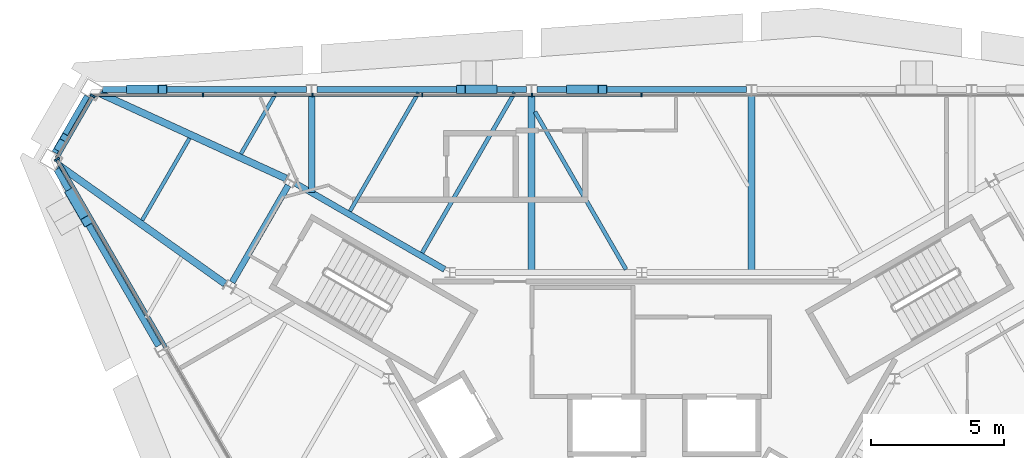
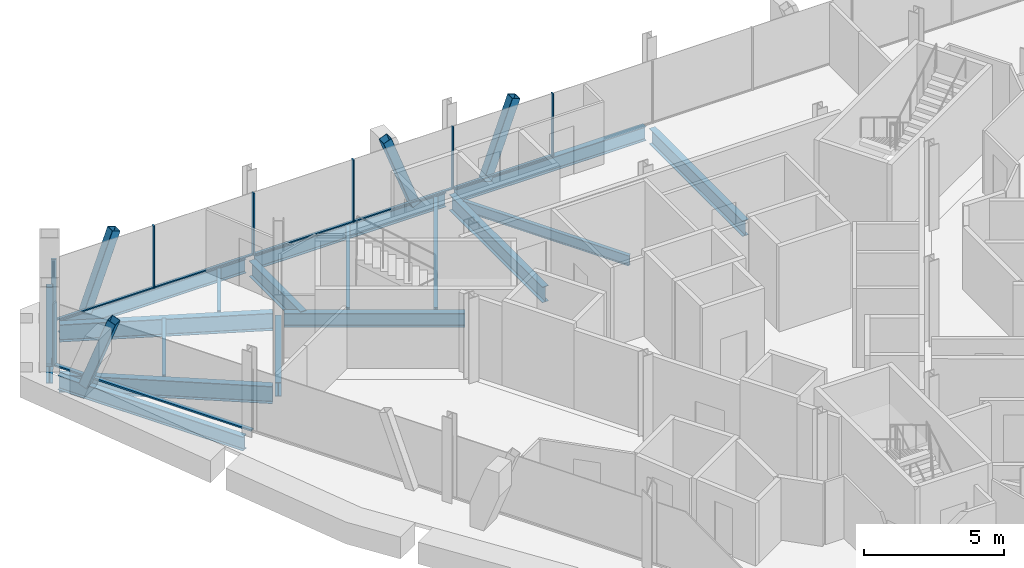
# One storey, part 5 of 11: 19 members, 17 beams, 3 elements without a shape of their own.
"""IFC4 building model written with IfcOpenShell, lengths in metres."""

import ifcopenshell
import ifcopenshell.guid

model = None  # the IFC model being written
_history = None  # IfcOwnerHistory: only IFC2X3 demands one
_inside = {}  # id of a spatial element -> (the spatial element, [elements in it])
_under = {}  # id of a project, library or spatial element -> (it, [spatial elements below it])
_declared = {}  # id of a project -> (the project, [libraries it declares])
_typed = {}  # id of a type object -> (the type object, [elements of that type])
_made_of = {}  # id of a material, layer set ... -> (it, [elements and type objects made of it])


def new_model(schema):
    """Start an empty IFC model of exactly this schema.

    Asked for "IFC4X3", IfcOpenShell would pick the latest addendum, in which some entities
    have other attributes; the version numbers below select the first issue.
    IFC2X3 requires an IfcOwnerHistory on every rooted entity: one is made here for all.
    """
    global model, _history
    if schema == "IFC4X3":
        model = ifcopenshell.file(schema_version=(4, 3, 0, 0))
    else:
        model = ifcopenshell.file(schema=schema)
    _inside.clear()
    _under.clear()
    _declared.clear()
    _typed.clear()
    _made_of.clear()
    _history = None
    if model.schema == "IFC2X3":
        org = make("IfcOrganization", Name="unknown")
        user = make(
            "IfcPersonAndOrganization",
            ThePerson=make("IfcPerson", FamilyName="unknown"),
            TheOrganization=org,
        )
        app = make(
            "IfcApplication",
            ApplicationDeveloper=org,
            Version="unknown",
            ApplicationFullName="unknown",
            ApplicationIdentifier="unknown",
        )
        _history = make(
            "IfcOwnerHistory",
            OwningUser=user,
            OwningApplication=app,
            ChangeAction="ADDED",
            CreationDate=0,
        )
    return model


def make(cls, **values):
    """One entity of the class cls with the attributes given. An attribute that is None is left unset."""
    return model.create_entity(
        cls, **{name: value for name, value in values.items() if value is not None}
    )


def rooted(cls, **values):
    """An entity with a GlobalId (a new one), such as an element, a storey or a relation."""
    return make(cls, GlobalId=ifcopenshell.guid.new(), OwnerHistory=_history, **values)


def si_unit(unit_type, name, prefix=None):
    """IfcSIUnit, for example si_unit("LENGTHUNIT", "METRE", prefix="MILLI")."""
    return make("IfcSIUnit", UnitType=unit_type, Prefix=prefix, Name=name)


def assignment(units):
    """IfcUnitAssignment: the units of a project."""
    return None if units is None else make("IfcUnitAssignment", Units=units)


def point(xyz):
    """IfcCartesianPoint."""
    return None if xyz is None else make("IfcCartesianPoint", Coordinates=xyz)


def direction(xyz):
    """IfcDirection."""
    return None if xyz is None else make("IfcDirection", DirectionRatios=xyz)


def frame(location, z_axis=None, x_axis=None):
    """IfcAxis2Placement3D, a coordinate frame: its origin and axes. An axis left out is left unset."""
    return make(
        "IfcAxis2Placement3D",
        Location=point(location),
        Axis=direction(z_axis),
        RefDirection=direction(x_axis),
    )


def frame_2d(location, x_axis=None):
    """IfcAxis2Placement2D, a coordinate frame in the plane: its origin and x axis."""
    return make(
        "IfcAxis2Placement2D", Location=point(location), RefDirection=direction(x_axis)
    )


def origin():
    """The frame at (0, 0, 0) with its axes left unset."""
    return frame((0.0, 0.0, 0.0))


def origin_2d():
    """The frame at (0, 0) in the plane with its x axis left unset."""
    return frame_2d((0.0, 0.0))


def place(relative_to, where):
    """IfcLocalPlacement: puts the frame where relative to a parent placement (None: the world)."""
    return make(
        "IfcLocalPlacement", PlacementRelTo=relative_to, RelativePlacement=where
    )


def context(
    kind, dimensions, precision=None, world=None, true_north=None, identifier=None
):
    """IfcGeometricRepresentationContext, for example the 3D "Model" context."""
    return make(
        "IfcGeometricRepresentationContext",
        ContextIdentifier=identifier,
        ContextType=kind,
        CoordinateSpaceDimension=dimensions,
        Precision=precision,
        WorldCoordinateSystem=world,
        TrueNorth=true_north,
    )


def subcontext(parent, identifier, kind, view, scale=None):
    """IfcGeometricRepresentationSubContext, for example "Body" below "Model"."""
    return make(
        "IfcGeometricRepresentationSubContext",
        ContextIdentifier=identifier,
        ContextType=kind,
        ParentContext=parent,
        TargetScale=scale,
        TargetView=view,
    )


def project(units=None, contexts=None):
    """IfcProject with its units and contexts."""
    return rooted(
        "IfcProject",
        Name="project",
        RepresentationContexts=contexts,
        UnitsInContext=assignment(units),
    )


def spatial(cls, under=None, at=None, **own):
    """A site, building, storey or space (cls), placed at a placement, below another one or the project."""
    s = rooted(cls, ObjectPlacement=at, **own)
    if under is not None:
        _under.setdefault(under.id(), (under, []))[1].append(s)
    return s


def profile(cls, at=None, kind="AREA", **sizes):
    """A parametric profile (cls). Its sizes go by their IFC names, for example OverallWidth=200.0."""
    return make(cls, ProfileType=kind, Position=at, **sizes)


def rectangle(**sizes):
    """IfcRectangleProfileDef."""
    return profile("IfcRectangleProfileDef", **sizes)


def hollow_rectangle(**sizes):
    """IfcRectangleHollowProfileDef."""
    return profile("IfcRectangleHollowProfileDef", **sizes)


def i_section(**sizes):
    """IfcIShapeProfileDef."""
    return profile("IfcIShapeProfileDef", **sizes)


def extrude(swept, where, along, depth):
    """IfcExtrudedAreaSolid: the profile swept, set in the frame where, extruded along a direction by depth."""
    return make(
        "IfcExtrudedAreaSolid",
        SweptArea=swept,
        Position=where,
        ExtrudedDirection=direction(along),
        Depth=depth,
    )


def shape(context_of_items, identifier, shape_type, items):
    """IfcShapeRepresentation: the items that make up one representation, for example the "Body"."""
    return make(
        "IfcShapeRepresentation",
        ContextOfItems=context_of_items,
        RepresentationIdentifier=identifier,
        RepresentationType=shape_type,
        Items=items,
    )


def material(Name=None, Category=None):
    """IfcMaterial."""
    return make("IfcMaterial", Name=Name, Category=Category)


def material_profile(
    of_material, cross_section, Name=None, Category=None, Priority=None
):
    """IfcMaterialProfile: a cross section and its material."""
    return make(
        "IfcMaterialProfile",
        Name=Name,
        Material=of_material,
        Profile=cross_section,
        Priority=Priority,
        Category=Category,
    )


def profile_set(profiles, Name=None, composite=None):
    """IfcMaterialProfileSet."""
    return make(
        "IfcMaterialProfileSet",
        Name=Name,
        MaterialProfiles=profiles,
        CompositeProfile=composite,
    )


def made_of(thing, what):
    """Note that an element or type object is made of a material, layer set ...; save() writes the relation."""
    if what is not None:
        _made_of.setdefault(what.id(), (what, []))[1].append(thing)
    return thing


def type_object(cls, material=None, **own):
    """A type object (cls), such as IfcWallType, which elements share."""
    return made_of(rooted(cls, **own), material)


def element(
    cls,
    number,
    at=None,
    inside=None,
    cuts=None,
    type_object=None,
    material=None,
    context=None,
    identifier="Body",
    shape_type=None,
    held_by="IfcProductDefinitionShape",
    body=None,
    shapes=None,
    **own,
):
    """One element of the class cls, such as IfcWall. Its Tag is "e" and its number.

    at: its placement. inside: the storey or other place that contains it. cuts: it is an
    opening in that element (IfcRelVoidsElement). A single representation is given by context,
    identifier, shape_type and body (its items); several are given by shapes. held_by: the class
    of the entity that holds the representations. save() writes the other relations.
    """
    e = rooted(cls, Tag="e%d" % number, ObjectPlacement=at, **own)
    if body is not None:
        shapes = [shape(context, identifier, shape_type, body)]
    if shapes is not None:
        e.Representation = make(held_by, Representations=shapes)
    if inside is not None:
        _inside.setdefault(inside.id(), (inside, []))[1].append(e)
    if cuts is not None:
        rooted(
            "IfcRelVoidsElement", RelatingBuildingElement=cuts, RelatedOpeningElement=e
        )
    if type_object is not None:
        _typed.setdefault(type_object.id(), (type_object, []))[1].append(e)
    return made_of(e, material)


def aggregate(whole, parts):
    """IfcRelAggregates: a whole, such as a stair, and the parts it consists of."""
    return rooted("IfcRelAggregates", RelatingObject=whole, RelatedObjects=parts)


def save(model, path):
    """Write the relations noted so far, then the file.

    IfcRelAggregates (storeys below a building ...), IfcRelContainedInSpatialStructure (elements
    in a storey), IfcRelDefinesByType, IfcRelAssociatesMaterial and IfcRelDeclares: one each for
    every whole, place, type object, material and project.
    """
    for whole, parts in _under.values():
        aggregate(whole, parts)
    for where, things in _inside.values():
        rooted(
            "IfcRelContainedInSpatialStructure",
            RelatedElements=things,
            RelatingStructure=where,
        )
    for kind, things in _typed.values():
        rooted("IfcRelDefinesByType", RelatedObjects=things, RelatingType=kind)
    for what, things in _made_of.values():
        rooted("IfcRelAssociatesMaterial", RelatedObjects=things, RelatingMaterial=what)
    for by, libraries in _declared.values():
        rooted("IfcRelDeclares", RelatingContext=by, RelatedDefinitions=libraries)
    model.write(path)


model = new_model("IFC4")

# Units and contexts
model_context = context("Model", 3, precision=1e-05, world=origin(), true_north=direction((0.0, 1.0)))
body_context = subcontext(model_context, "Body", "Model", "MODEL_VIEW")
ifc_project = project(units=[si_unit("LENGTHUNIT", "METRE"), si_unit("AREAUNIT", "SQUARE_METRE"), si_unit("VOLUMEUNIT", "CUBIC_METRE"), si_unit("PLANEANGLEUNIT", "RADIAN"), si_unit("MASSUNIT", "GRAM", prefix="KILO")], contexts=[model_context])

# Site, building, storey
site_placement = place(None, origin())
site = spatial("IfcSite", under=ifc_project, at=site_placement, CompositionType="ELEMENT")
building_placement = place(site_placement, origin())
building = spatial("IfcBuilding", under=site, at=building_placement, Name="Verrane Prism Tower", CompositionType="ELEMENT")
storey_placement = place(building_placement, frame((0.0, 0.0, 267.699951171875)))
storey = spatial("IfcBuildingStorey", under=building, at=storey_placement, Name="L67", CompositionType="ELEMENT", Elevation=267.699951171875)

# Member
ifc_material_1 = material(Name="Steel A500 Grade C", Category="steel")
ifc_material_profile_1 = material_profile(ifc_material_1, hollow_rectangle(XDim=0.25390625, YDim=0.25390625, WallThickness=0.009521484375, InnerFilletRadius=0.0048828125, OuterFilletRadius=0.014404296875, at=origin_2d()), Name="HSS10x10x3/8")
ifc_profile_set_1 = profile_set([ifc_material_profile_1], Name="Steel A500 Grade C")
member_type_1 = type_object("IfcMemberType", Name="Chamfer brace HSS10x10x3/8", PredefinedType="BRACE", material=ifc_profile_set_1)
member_1_placement = place(storey_placement, frame((-21.846435546875, 11.493408203125, -0.242431640625), z_axis=(0.067861913608, 0.117357529496, 0.990768374017), x_axis=(-0.865688187955, 0.500583620621, 0.0)))
element("IfcMember", 1, at=member_1_placement, inside=storey, type_object=member_type_1, Name="Chamfer brace NW0 L67", PredefinedType="BRACE", context=body_context, shape_type="SweptSolid", body=[
    extrude(hollow_rectangle(XDim=0.25390625, YDim=0.25390625, WallThickness=0.009521484375, InnerFilletRadius=0.0048828125, OuterFilletRadius=0.014404296875, at=origin_2d()), origin(), (0.0, 0.0, 1.0), 3.13720703125),
])

# Beams
ifc_material_2 = material(Name="Steel A992", Category="steel")
ifc_material_profile_2 = material_profile(ifc_material_2, i_section(OverallWidth=0.2666015625, OverallDepth=0.7568359375, WebThickness=0.013916015625, FlangeThickness=0.019287109375, FilletRadius=0.0166015625, at=origin_2d()), Name="W30x108")
ifc_profile_set_2 = profile_set([ifc_material_profile_2], Name="Steel A992")
beam_type_1 = type_object("IfcBeamType", Name="Chamfer spandrel beam W30x108", PredefinedType="SPANDREL", material=ifc_profile_set_2)
beam_1_placement = place(storey_placement, frame((-20.75, 13.390380859375, -0.538330078125), z_axis=(-0.500436097356, -0.865773476415, 0.0), x_axis=(0.865773476415, -0.500436097356, 0.0)))
element("IfcBeam", 2, at=beam_1_placement, inside=storey, type_object=beam_type_1, Name="Chamfer spandrel beam L67", PredefinedType="SPANDREL", context=body_context, shape_type="SweptSolid", body=[
    extrude(i_section(OverallWidth=0.2666015625, OverallDepth=0.7568359375, WebThickness=0.013916015625, FlangeThickness=0.019287109375, FilletRadius=0.0166015625, at=origin_2d()), origin(), (0.0, 0.0, 1.0), 2.437744140625),
])
ifc_material_3 = material(Name="Steel A992", Category="steel")
ifc_material_profile_3 = material_profile(ifc_material_3, i_section(OverallWidth=0.23046875, OverallDepth=0.6171875, WebThickness=0.01318359375, FlangeThickness=0.022216796875, FilletRadius=0.012939453125, at=origin_2d()), Name="W24x94")
ifc_profile_set_3 = profile_set([ifc_material_profile_3], Name="Steel A992")
beam_type_2 = type_object("IfcBeamType", Name="Core ring girder W24x94", PredefinedType="BEAM", material=ifc_profile_set_3)
beam_2_placement = place(storey_placement, frame((-7.37939453125, 6.9150390625, -0.55859375), z_axis=(-0.866080992722, 0.499903704773, 0.0), x_axis=(-0.499903704773, -0.866080992722, 0.0)))
element("IfcBeam", 3, at=beam_2_placement, inside=storey, type_object=beam_type_2, Name="Core ring girder L67", PredefinedType="BEAM", context=body_context, shape_type="SweptSolid", body=[
    extrude(i_section(OverallWidth=0.23046875, OverallDepth=0.6171875, WebThickness=0.01318359375, FlangeThickness=0.022216796875, FilletRadius=0.012939453125, at=origin_2d()), origin(), (0.0, 0.0, 1.0), 6.451904296875),
])
beam_3_placement = place(storey_placement, frame((-13.240478515625, 10.06640625, -0.55859375), z_axis=(-0.500306681185, -0.865848268903, 0.0), x_axis=(0.865848268903, -0.500306681185, 0.0)))
element("IfcBeam", 4, at=beam_3_placement, inside=storey, type_object=beam_type_2, Name="Core ring girder L67", PredefinedType="BEAM", context=body_context, shape_type="SweptSolid", body=[
    extrude(i_section(OverallWidth=0.23046875, OverallDepth=0.6171875, WebThickness=0.01318359375, FlangeThickness=0.022216796875, FilletRadius=0.012939453125, at=origin_2d()), origin(), (0.0, 0.0, 1.0), 4.195556640625),
])
ifc_material_4 = material(Name="Steel A992", Category="steel")
ifc_material_profile_4 = material_profile(ifc_material_4, i_section(OverallWidth=0.2666015625, OverallDepth=0.7568359375, WebThickness=0.013916015625, FlangeThickness=0.019287109375, FilletRadius=0.0166015625, at=origin_2d()), Name="W30x108")
ifc_profile_set_4 = profile_set([ifc_material_profile_4], Name="Steel A992")
beam_type_3 = type_object("IfcBeamType", Name="Corner girder W30x108", PredefinedType="BEAM", material=ifc_profile_set_4)
for number, where, z_axis, x_axis, name in (
    (5, (-20.2802734375, 13.50390625, -0.598388671875), (0.909481370613, -0.415744677065, 0.0), (0.415744677065, 0.909481370613, 0.0), "Corner girder L67"),
    (6, (-21.833740234375, 10.81591796875, -0.598388671875), (0.814401339816, -0.580302040067, 0.0), (0.580302040067, 0.814401339816, 0.0), "Corner girder L67"),
):
    element("IfcBeam", number, at=place(storey_placement, frame(where, z_axis=z_axis, x_axis=x_axis)), inside=storey, type_object=beam_type_3, Name=name, PredefinedType="BEAM", context=body_context, shape_type="SweptSolid", body=[
        extrude(i_section(OverallWidth=0.2666015625, OverallDepth=0.7568359375, WebThickness=0.013916015625, FlangeThickness=0.019287109375, FilletRadius=0.0166015625, at=origin_2d()), origin(), (0.0, 0.0, 1.0), 7.650634765625),
    ])

# Members
ifc_material_5 = material(Name="Steel A500 Grade C", Category="steel")
ifc_material_profile_5 = material_profile(ifc_material_5, hollow_rectangle(XDim=0.355712890625, YDim=0.355712890625, WallThickness=0.0126953125, InnerFilletRadius=0.00634765625, OuterFilletRadius=0.01904296875, at=origin_2d()), Name="HSS14x14x1/2")
ifc_profile_set_5 = profile_set([ifc_material_profile_5], Name="Steel A500 Grade C")
member_type_2 = type_object("IfcMemberType", Name="Facade brace HSS14x14x1/2", PredefinedType="BRACE", material=ifc_profile_set_5)
for number, where, z_axis, x_axis, name in (
    (7, (-2.6533203125, 13.64990234375, -0.216552734375), (0.348037289442, 0.0, 0.937480690552), (0.0, 1.0, 0.0), "Facade brace N2 L67"),
    (8, (-5.5869140625, 13.64990234375, -0.216552734375), (-0.34797434891, 0.0, 0.937504054658), (0.0, -1.0, 0.0), "Facade brace N3 L67"),
    (9, (-19.13330078125, 13.64990234375, -0.216552734375), (0.348037289442, 0.0, 0.937480690552), (0.0, 1.0, 0.0), "Facade brace N4 L67"),
):
    element("IfcMember", number, at=place(storey_placement, frame(where, z_axis=z_axis, x_axis=x_axis)), inside=storey, type_object=member_type_2, Name=name, PredefinedType="BRACE", context=body_context, shape_type="SweptSolid", body=[
        extrude(hollow_rectangle(XDim=0.355712890625, YDim=0.355712890625, WallThickness=0.0126953125, InnerFilletRadius=0.00634765625, OuterFilletRadius=0.01904296875, at=origin_2d()), origin(), (0.0, 0.0, 1.0), 3.4091796875),
    ])
member_2_placement = place(storey_placement, frame((-21.38671875, 9.7490234375, -0.216552734375), z_axis=(0.174010693257, -0.30154692564, 0.937437854084), x_axis=(0.86613421761, 0.499811481546, 0.0)))
element("IfcMember", 10, at=member_2_placement, inside=storey, type_object=member_type_2, Name="Facade brace SW0 L67", PredefinedType="BRACE", context=body_context, shape_type="SweptSolid", body=[
    extrude(hollow_rectangle(XDim=0.355712890625, YDim=0.355712890625, WallThickness=0.0126953125, InnerFilletRadius=0.00634765625, OuterFilletRadius=0.01904296875, at=origin_2d()), origin(), (0.0, 0.0, 1.0), 3.409423828125),
])

# Beams
ifc_material_6 = material(Name="Steel A992", Category="steel")
ifc_material_profile_6 = material_profile(ifc_material_6, i_section(OverallWidth=0.140380859375, OverallDepth=0.40380859375, WebThickness=0.007080078125, FlangeThickness=0.01123046875, FilletRadius=0.01025390625, at=origin_2d()), Name="W16x31")
ifc_profile_set_6 = profile_set([ifc_material_profile_6], Name="Steel A992")
beam_type_4 = type_object("IfcBeamType", Name="Floor beam W16x31", PredefinedType="BEAM", material=ifc_profile_set_6)
beam_4_placement = place(storey_placement, frame((-10.925048828125, 9.094482421875, -0.36181640625), z_axis=(0.500005474671, 0.866022242959, 0.0), x_axis=(-0.866022242959, 0.500005474671, 0.0)))
element("IfcBeam", 11, at=beam_4_placement, inside=storey, type_object=beam_type_4, Name="Floor beam L67", PredefinedType="BEAM", context=body_context, shape_type="SweptSolid", body=[
    extrude(i_section(OverallWidth=0.140380859375, OverallDepth=0.40380859375, WebThickness=0.007080078125, FlangeThickness=0.01123046875, FilletRadius=0.01025390625, at=origin_2d()), origin(), (0.0, 0.0, 1.0), 5.12744140625),
])
beam_5_placement = place(storey_placement, frame((-15.01123046875, 11.2421875, -0.36181640625), z_axis=(0.50007632508, 0.865981332994, 0.0), x_axis=(-0.865981332994, 0.50007632508, 0.0)))
element("IfcBeam", 12, at=beam_5_placement, inside=storey, type_object=beam_type_4, Name="Floor beam L67", PredefinedType="BEAM", context=body_context, shape_type="SweptSolid", body=[
    extrude(i_section(OverallWidth=0.140380859375, OverallDepth=0.40380859375, WebThickness=0.007080078125, FlangeThickness=0.01123046875, FilletRadius=0.01025390625, at=origin_2d()), origin(), (0.0, 0.0, 1.0), 2.6474609375),
])
beam_6_placement = place(storey_placement, frame((-18.712158203125, 8.755615234375, -0.36181640625), z_axis=(0.499986454343, 0.866033224232, 0.0), x_axis=(-0.866033224232, 0.499986454343, 0.0)))
element("IfcBeam", 13, at=beam_6_placement, inside=storey, type_object=beam_type_4, Name="Floor beam L67", PredefinedType="BEAM", context=body_context, shape_type="SweptSolid", body=[
    extrude(i_section(OverallWidth=0.140380859375, OverallDepth=0.40380859375, WebThickness=0.007080078125, FlangeThickness=0.01123046875, FilletRadius=0.01025390625, at=origin_2d()), origin(), (0.0, 0.0, 1.0), 3.548828125),
])
ifc_material_7 = material(Name="Steel A992", Category="steel")
ifc_material_profile_7 = material_profile(ifc_material_7, i_section(OverallWidth=0.15234375, OverallDepth=0.449462890625, WebThickness=0.007568359375, FlangeThickness=0.0107421875, FilletRadius=0.01025390625, at=origin_2d()), Name="W18x35")
ifc_profile_set_7 = profile_set([ifc_material_profile_7], Name="Steel A992")
beam_type_5 = type_object("IfcBeamType", Name="Floor beam W18x35", PredefinedType="BEAM", material=ifc_profile_set_7)
beam_7_placement = place(storey_placement, frame((-0.583251953125, 6.9150390625, -0.384765625), z_axis=(-0.499997234054, 0.866027000698, 0.0), x_axis=(-0.866027000698, -0.499997234054, 0.0)))
element("IfcBeam", 14, at=beam_7_placement, inside=storey, type_object=beam_type_5, Name="Floor beam L67", PredefinedType="BEAM", context=body_context, shape_type="SweptSolid", body=[
    extrude(i_section(OverallWidth=0.15234375, OverallDepth=0.449462890625, WebThickness=0.007568359375, FlangeThickness=0.0107421875, FilletRadius=0.01025390625, at=origin_2d()), origin(), (0.0, 0.0, 1.0), 6.8193359375),
])
beam_8_placement = place(storey_placement, frame((-8.22265625, 7.53466796875, -0.384765625), z_axis=(0.500012221024, 0.866018347858, 0.0), x_axis=(-0.866018347858, 0.500012221024, 0.0)))
element("IfcBeam", 15, at=beam_8_placement, inside=storey, type_object=beam_type_5, Name="Floor beam L67", PredefinedType="BEAM", context=body_context, shape_type="SweptSolid", body=[
    extrude(i_section(OverallWidth=0.15234375, OverallDepth=0.449462890625, WebThickness=0.007568359375, FlangeThickness=0.0107421875, FilletRadius=0.01025390625, at=origin_2d()), origin(), (0.0, 0.0, 1.0), 6.928466796875),
])

# Curtain wall, members
ifc_material_8 = material(Name="Aluminium framed insulated glazing", Category="aluminium")
curtain_wall_type_1 = type_object("IfcCurtainWallType", Name="Curtain wall CW-C 4200 module", PredefinedType="NOTDEFINED", material=ifc_material_8)
curtain_wall_1_placement = place(storey_placement, origin())
curtain_wall_1 = element("IfcCurtainWall", 16, at=curtain_wall_1_placement, inside=storey, type_object=curtain_wall_type_1, Name="Glazed curtain wall north face L67", PredefinedType="NOTDEFINED")
ifc_material_9 = material(Name="Aluminium alloy 6063-T6", Category="aluminium")
ifc_material_profile_8 = material_profile(ifc_material_9, rectangle(XDim=0.139892578125, YDim=0.050048828125, at=origin_2d()), Name="Mullion 50x140 aluminium")
ifc_profile_set_8 = profile_set([ifc_material_profile_8], Name="Aluminium alloy 6063-T6")
member_type_3 = type_object("IfcMemberType", Name="Mullion 50x140 aluminium", PredefinedType="MULLION", material=ifc_profile_set_8)
member_3_placement = place(storey_placement, frame((0.0, 13.447265625, 0.0), z_axis=(0.0, 0.0, 1.0), x_axis=(0.0, -1.0, 0.0)))
member_3 = element("IfcMember", 17, at=member_3_placement, type_object=member_type_3, Name="CW66.2 mullion 6", PredefinedType="MULLION", context=body_context, shape_type="SweptSolid", body=[
    extrude(rectangle(XDim=0.139892578125, YDim=0.050048828125, at=origin_2d()), origin(), (0.0, 0.0, 1.0), 2.72314453125),
])
member_4_placement = place(storey_placement, frame((-4.109130859375, 13.447265625, 0.0), z_axis=(0.0, 0.0, 1.0), x_axis=(0.0, -1.0, 0.0)))
member_4 = element("IfcMember", 18, at=member_4_placement, type_object=member_type_3, Name="CW66.2 mullion 7", PredefinedType="MULLION", context=body_context, shape_type="SweptSolid", body=[
    extrude(rectangle(XDim=0.139892578125, YDim=0.050048828125, at=origin_2d()), origin(), (0.0, 0.0, 1.0), 2.72314453125),
])
member_5_placement = place(storey_placement, frame((-8.218505859375, 13.447265625, 0.0), z_axis=(0.0, 0.0, 1.0), x_axis=(0.0, -1.0, 0.0)))
member_5 = element("IfcMember", 19, at=member_5_placement, type_object=member_type_3, Name="CW66.2 mullion 8", PredefinedType="MULLION", context=body_context, shape_type="SweptSolid", body=[
    extrude(rectangle(XDim=0.139892578125, YDim=0.050048828125, at=origin_2d()), origin(), (0.0, 0.0, 1.0), 2.72314453125),
])
member_6_placement = place(storey_placement, frame((-12.32763671875, 13.447265625, 0.0), z_axis=(0.0, 0.0, 1.0), x_axis=(0.0, -1.0, 0.0)))
member_6 = element("IfcMember", 20, at=member_6_placement, type_object=member_type_3, Name="CW66.2 mullion 9", PredefinedType="MULLION", context=body_context, shape_type="SweptSolid", body=[
    extrude(rectangle(XDim=0.139892578125, YDim=0.050048828125, at=origin_2d()), origin(), (0.0, 0.0, 1.0), 2.72314453125),
])
member_7_placement = place(storey_placement, frame((-16.436767578125, 13.447265625, 0.0), z_axis=(0.0, 0.0, 1.0), x_axis=(0.0, -1.0, 0.0)))
member_7 = element("IfcMember", 21, at=member_7_placement, type_object=member_type_3, Name="CW66.2 mullion 10", PredefinedType="MULLION", context=body_context, shape_type="SweptSolid", body=[
    extrude(rectangle(XDim=0.139892578125, YDim=0.050048828125, at=origin_2d()), origin(), (0.0, 0.0, 1.0), 2.72314453125),
])

# Curtain wall, member
ifc_material_10 = material(Name="Aluminium framed insulated glazing", Category="aluminium")
curtain_wall_type_2 = type_object("IfcCurtainWallType", Name="Curtain wall CW-A 8400 module", PredefinedType="NOTDEFINED", material=ifc_material_10)
curtain_wall_2_placement = place(storey_placement, origin())
curtain_wall_2 = element("IfcCurtainWall", 22, at=curtain_wall_2_placement, inside=storey, type_object=curtain_wall_type_2, Name="Glazed curtain wall north-west corner L67", PredefinedType="NOTDEFINED")
ifc_material_11 = material(Name="Aluminium alloy 6063-T6", Category="aluminium")
ifc_material_profile_9 = material_profile(ifc_material_11, rectangle(XDim=0.199951171875, YDim=0.070068359375, at=origin_2d()), Name="Mullion 70x200 aluminium")
ifc_profile_set_9 = profile_set([ifc_material_profile_9], Name="Aluminium alloy 6063-T6")
member_type_4 = type_object("IfcMemberType", Name="Mullion 70x200 aluminium", PredefinedType="MULLION", material=ifc_profile_set_9)
member_8_placement = place(storey_placement, frame((-20.563720703125, 13.4169921875, 0.0), z_axis=(0.0, 0.0, 1.0), x_axis=(0.866024225493, -0.500002040855, 0.0)))
member_8 = element("IfcMember", 23, at=member_8_placement, type_object=member_type_4, Name="CW66.3 mullion 1", PredefinedType="MULLION", context=body_context, shape_type="SweptSolid", body=[
    extrude(rectangle(XDim=0.199951171875, YDim=0.070068359375, at=origin_2d()), origin(), (0.0, 0.0, 1.0), 2.72314453125),
])

curtain_wall_3_placement = place(storey_placement, origin())
curtain_wall_3 = element("IfcCurtainWall", 24, at=curtain_wall_3_placement, inside=storey, type_object=curtain_wall_type_2, Name="Glazed curtain wall south-west face L67", PredefinedType="NOTDEFINED")
member_9_placement = place(storey_placement, frame((-21.901123046875, 11.03955078125, 0.0), z_axis=(0.0, 0.0, 1.0), x_axis=(0.866024861728, 0.500000938868, 0.0)))
member_9 = element("IfcMember", 25, at=member_9_placement, type_object=member_type_4, Name="CW66.4 mullion 1", PredefinedType="MULLION", context=body_context, shape_type="SweptSolid", body=[
    extrude(rectangle(XDim=0.199951171875, YDim=0.070068359375, at=origin_2d()), origin(), (0.0, 0.0, 1.0), 2.72314453125),
])

# Beams
ifc_material_12 = material(Name="Steel A992", Category="steel")
ifc_material_profile_10 = material_profile(ifc_material_12, i_section(OverallWidth=0.25390625, OverallDepth=0.683349609375, WebThickness=0.012451171875, FlangeThickness=0.01904296875, FilletRadius=0.01513671875, at=origin_2d()), Name="W27x94")
ifc_profile_set_10 = profile_set([ifc_material_profile_10], Name="Steel A992")
beam_type_6 = type_object("IfcBeamType", Name="Radial girder W27x94", PredefinedType="BEAM", material=ifc_profile_set_10)
for number, where, z_axis, x_axis, name in (
    (26, (4.1201171875, 13.4619140625, -0.5615234375), (0.0, -1.0, 0.0), (1.0, 0.0, 0.0), "Radial girder L67"),
    (27, (-4.1201171875, 13.4619140625, -0.5615234375), (0.0, -1.0, 0.0), (1.0, 0.0, 0.0), "Radial girder L67"),
):
    element("IfcBeam", number, at=place(storey_placement, frame(where, z_axis=z_axis, x_axis=x_axis)), inside=storey, type_object=beam_type_6, Name=name, PredefinedType="BEAM", context=body_context, shape_type="SweptSolid", body=[
        extrude(i_section(OverallWidth=0.25390625, OverallDepth=0.683349609375, WebThickness=0.012451171875, FlangeThickness=0.01904296875, FilletRadius=0.01513671875, at=origin_2d()), origin(), (0.0, 0.0, 1.0), 6.661865234375),
    ])
beam_9_placement = place(storey_placement, frame((-12.360107421875, 13.4619140625, -0.5615234375), z_axis=(0.0, -1.0, 0.0), x_axis=(1.0, 0.0, 0.0)))
element("IfcBeam", 28, at=beam_9_placement, inside=storey, type_object=beam_type_6, Name="Radial girder L67", PredefinedType="BEAM", context=body_context, shape_type="SweptSolid", body=[
    extrude(i_section(OverallWidth=0.25390625, OverallDepth=0.683349609375, WebThickness=0.012451171875, FlangeThickness=0.01904296875, FilletRadius=0.01513671875, at=origin_2d()), origin(), (0.0, 0.0, 1.0), 3.672119140625),
])
ifc_material_13 = material(Name="Steel A992", Category="steel")
ifc_material_profile_11 = material_profile(ifc_material_13, i_section(OverallWidth=0.23046875, OverallDepth=0.6171875, WebThickness=0.01318359375, FlangeThickness=0.022216796875, FilletRadius=0.012939453125, at=origin_2d()), Name="W24x94")
ifc_profile_set_11 = profile_set([ifc_material_profile_11], Name="Steel A992")
beam_type_7 = type_object("IfcBeamType", Name="Spandrel beam W24x94", PredefinedType="SPANDREL", material=ifc_profile_set_11)
for number, where, z_axis, x_axis, name in (
    (29, (3.923095703125, 13.64990234375, -0.468505859375), (-1.0, 0.0, 0.0), (0.0, -1.0, 0.0), "Spandrel beam L67"),
    (30, (-4.31689453125, 13.64990234375, -0.468505859375), (-1.0, 0.0, 0.0), (0.0, -1.0, 0.0), "Spandrel beam L67"),
):
    element("IfcBeam", number, at=place(storey_placement, frame(where, z_axis=z_axis, x_axis=x_axis)), inside=storey, type_object=beam_type_7, Name=name, PredefinedType="SPANDREL", context=body_context, shape_type="SweptSolid", body=[
        extrude(i_section(OverallWidth=0.23046875, OverallDepth=0.6171875, WebThickness=0.01318359375, FlangeThickness=0.022216796875, FilletRadius=0.012939453125, at=origin_2d()), origin(), (0.0, 0.0, 1.0), 7.84619140625),
    ])
beam_10_placement = place(storey_placement, frame((-12.556884765625, 13.64990234375, -0.468505859375), z_axis=(-1.0, 0.0, 0.0), x_axis=(0.0, -1.0, 0.0)))
element("IfcBeam", 31, at=beam_10_placement, inside=storey, type_object=beam_type_7, Name="Spandrel beam L67", PredefinedType="SPANDREL", context=body_context, shape_type="SweptSolid", body=[
    extrude(i_section(OverallWidth=0.23046875, OverallDepth=0.6171875, WebThickness=0.01318359375, FlangeThickness=0.022216796875, FilletRadius=0.012939453125, at=origin_2d()), origin(), (0.0, 0.0, 1.0), 7.638916015625),
])
beam_11_placement = place(storey_placement, frame((-21.91796875, 10.669921875, -0.468505859375), z_axis=(0.499791590914, -0.866145695395, 0.0), x_axis=(0.866145695395, 0.499791590914, 0.0)))
element("IfcBeam", 32, at=beam_11_placement, inside=storey, type_object=beam_type_7, Name="Spandrel beam L67", PredefinedType="SPANDREL", context=body_context, shape_type="SweptSolid", body=[
    extrude(i_section(OverallWidth=0.23046875, OverallDepth=0.6171875, WebThickness=0.01318359375, FlangeThickness=0.022216796875, FilletRadius=0.012939453125, at=origin_2d()), origin(), (0.0, 0.0, 1.0), 7.642333984375),
])

# Member
ifc_material_14 = material(Name="Aluminium alloy 6063-T6", Category="aluminium")
ifc_material_profile_12 = material_profile(ifc_material_14, rectangle(XDim=0.10009765625, YDim=0.050048828125, at=origin_2d()), Name="Transom 50x100 aluminium")
ifc_profile_set_12 = profile_set([ifc_material_profile_12], Name="Aluminium alloy 6063-T6")
member_type_5 = type_object("IfcMemberType", Name="Transom 50x100 aluminium", PredefinedType="USERDEFINED", material=ifc_profile_set_12)
member_10_placement = place(storey_placement, frame((-0.02490234375, 13.447265625, 0.025146484375), z_axis=(-1.0, 0.0, 0.0), x_axis=(0.0, -1.0, 0.0)))
member_10 = element("IfcMember", 33, at=member_10_placement, type_object=member_type_5, Name="CW66.2 transom 6", ObjectType="TRANSOM", PredefinedType="USERDEFINED", context=body_context, shape_type="SweptSolid", body=[
    extrude(rectangle(XDim=0.10009765625, YDim=0.050048828125, at=origin_2d()), origin(), (0.0, 0.0, 1.0), 4.059326171875),
])

member_11_placement = place(storey_placement, frame((-4.13427734375, 13.447265625, 0.025146484375), z_axis=(-1.0, 0.0, 0.0), x_axis=(0.0, -1.0, 0.0)))
member_11 = element("IfcMember", 34, at=member_11_placement, type_object=member_type_5, Name="CW66.2 transom 7", ObjectType="TRANSOM", PredefinedType="USERDEFINED", context=body_context, shape_type="SweptSolid", body=[
    extrude(rectangle(XDim=0.10009765625, YDim=0.050048828125, at=origin_2d()), origin(), (0.0, 0.0, 1.0), 4.05908203125),
])

member_12_placement = place(storey_placement, frame((-8.243408203125, 13.447265625, 0.025146484375), z_axis=(-1.0, 0.0, 0.0), x_axis=(0.0, -1.0, 0.0)))
member_12 = element("IfcMember", 35, at=member_12_placement, type_object=member_type_5, Name="CW66.2 transom 8", ObjectType="TRANSOM", PredefinedType="USERDEFINED", context=body_context, shape_type="SweptSolid", body=[
    extrude(rectangle(XDim=0.10009765625, YDim=0.050048828125, at=origin_2d()), origin(), (0.0, 0.0, 1.0), 4.059326171875),
])

member_13_placement = place(storey_placement, frame((-12.3525390625, 13.447265625, 0.025146484375), z_axis=(-1.0, 0.0, 0.0), x_axis=(0.0, -1.0, 0.0)))
member_13 = element("IfcMember", 36, at=member_13_placement, type_object=member_type_5, Name="CW66.2 transom 9", ObjectType="TRANSOM", PredefinedType="USERDEFINED", context=body_context, shape_type="SweptSolid", body=[
    extrude(rectangle(XDim=0.10009765625, YDim=0.050048828125, at=origin_2d()), origin(), (0.0, 0.0, 1.0), 4.059326171875),
])

member_14_placement = place(storey_placement, frame((-16.4619140625, 13.447265625, 0.025146484375), z_axis=(-1.0, 0.0, 0.0), x_axis=(0.0, -1.0, 0.0)))
member_14 = element("IfcMember", 37, at=member_14_placement, type_object=member_type_5, Name="CW66.2 transom 10", ObjectType="TRANSOM", PredefinedType="USERDEFINED", context=body_context, shape_type="SweptSolid", body=[
    extrude(rectangle(XDim=0.10009765625, YDim=0.050048828125, at=origin_2d()), origin(), (0.0, 0.0, 1.0), 4.084228515625),
])

aggregate(curtain_wall_1, [member_3, member_4, member_5, member_6, member_7, member_10, member_11, member_12, member_13, member_14])

ifc_material_15 = material(Name="Aluminium alloy 6063-T6", Category="aluminium")
ifc_material_profile_13 = material_profile(ifc_material_15, rectangle(XDim=0.14990234375, YDim=0.070068359375, at=origin_2d()), Name="Transom 70x150 aluminium")
ifc_profile_set_13 = profile_set([ifc_material_profile_13], Name="Aluminium alloy 6063-T6")
member_type_6 = type_object("IfcMemberType", Name="Transom 70x150 aluminium", PredefinedType="USERDEFINED", material=ifc_profile_set_13)
member_15_placement = place(storey_placement, frame((-20.5810546875, 13.386474609375, 0.03515625), z_axis=(-0.50003581814, -0.866004723184, 0.0), x_axis=(0.866004723184, -0.50003581814, 0.0)))
member_15 = element("IfcMember", 38, at=member_15_placement, type_object=member_type_6, Name="CW66.3 transom 1", ObjectType="TRANSOM", PredefinedType="USERDEFINED", context=body_context, shape_type="SweptSolid", body=[
    extrude(rectangle(XDim=0.14990234375, YDim=0.070068359375, at=origin_2d()), origin(), (0.0, 0.0, 1.0), 2.675048828125),
])

aggregate(curtain_wall_2, [member_8, member_15])

member_16_placement = place(storey_placement, frame((-21.8837890625, 11.00927734375, 0.03515625), z_axis=(0.500006361831, -0.866021730749, 0.0), x_axis=(0.866021730749, 0.500006361831, 0.0)))
member_16 = element("IfcMember", 39, at=member_16_placement, type_object=member_type_6, Name="CW66.4 transom 1", ObjectType="TRANSOM", PredefinedType="USERDEFINED", context=body_context, shape_type="SweptSolid", body=[
    extrude(rectangle(XDim=0.14990234375, YDim=0.070068359375, at=origin_2d()), origin(), (0.0, 0.0, 1.0), 8.11376953125),
])

aggregate(curtain_wall_3, [member_9, member_16])

save(model, "model.ifc")
